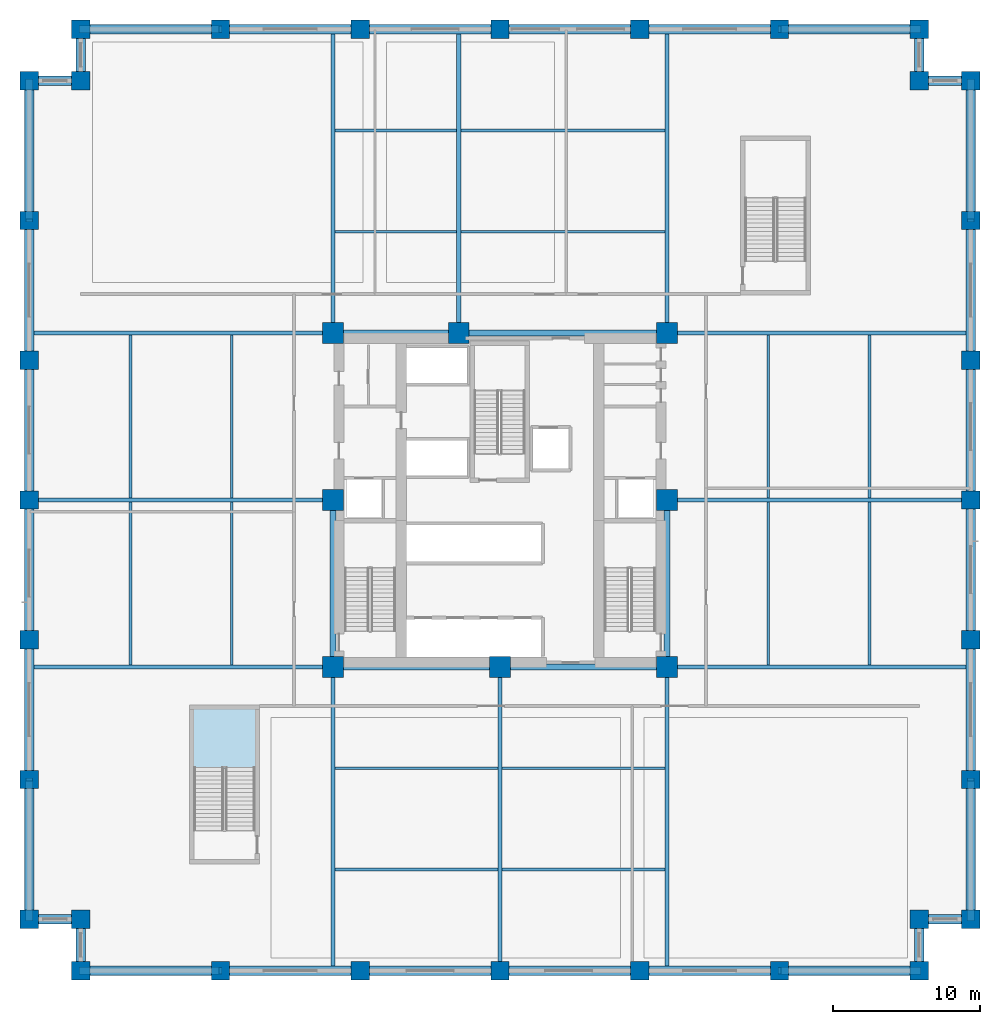
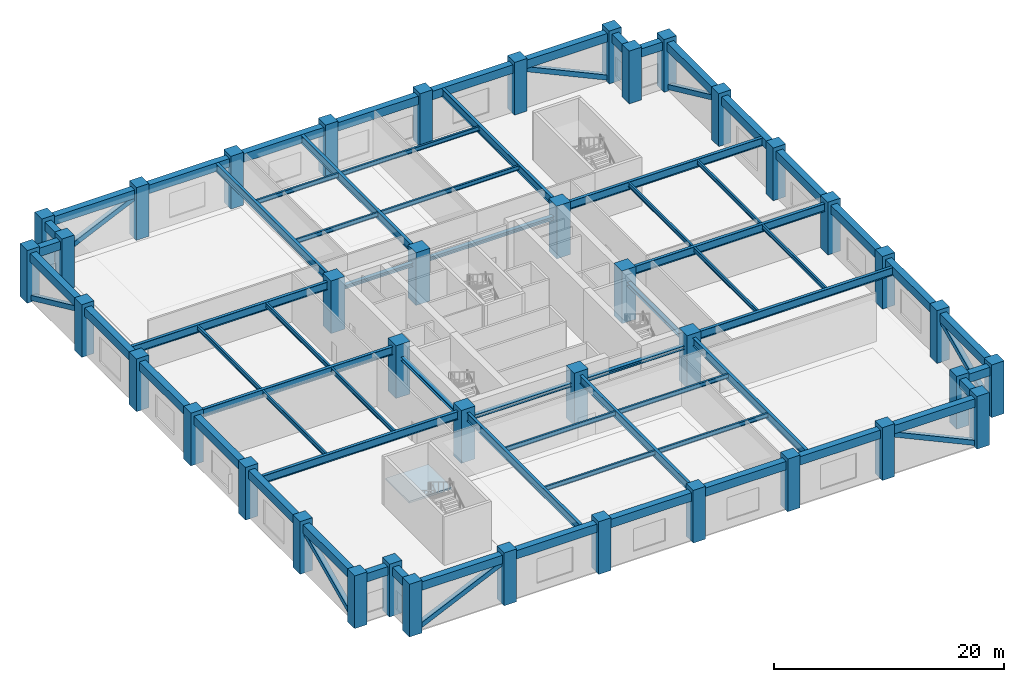
# One storey, part 1 of 14: 60 beams, 40 columns, 12 members, 1 slab, 1 element without a shape of its own.
"""IFC4 building model written with IfcOpenShell, lengths in metres."""

from ifc_helpers import new_model, si_unit, direction, frame, origin, origin_2d, place, context, subcontext, project, spatial, polyline, rectangle, hollow_rectangle, i_section, outline, extrude, material, layer, layer_set, material_profile, profile_set, type_object, element, aggregate, save


model = new_model("IFC4")

# Units and contexts
model_context = context("Model", 3, precision=1e-05, world=origin(), true_north=direction((0.0, 1.0)))
body_context = subcontext(model_context, "Body", "Model", "MODEL_VIEW")
ifc_project = project(units=[si_unit("LENGTHUNIT", "METRE"), si_unit("AREAUNIT", "SQUARE_METRE"), si_unit("VOLUMEUNIT", "CUBIC_METRE"), si_unit("PLANEANGLEUNIT", "RADIAN"), si_unit("MASSUNIT", "GRAM", prefix="KILO")], contexts=[model_context])

# Site, building, storey
site_placement = place(None, origin())
site = spatial("IfcSite", under=ifc_project, at=site_placement, CompositionType="ELEMENT")
building_placement = place(site_placement, origin())
building = spatial("IfcBuilding", under=site, at=building_placement, Name="Nhamokura Convention Tower", CompositionType="ELEMENT")
storey_placement = place(building_placement, frame((0.0, 0.0, 23.800048828125)))
storey = spatial("IfcBuildingStorey", under=building, at=storey_placement, Name="L04", CompositionType="ELEMENT", Elevation=23.800048828125)

# Columns
ifc_material_1 = material(Name="Concrete C70/85", Category="concrete")
ifc_material_profile_1 = material_profile(ifc_material_1, rectangle(XDim=1.39990234375, YDim=1.39990234375, at=origin_2d()))
ifc_profile_set_1 = profile_set([ifc_material_profile_1], Name="Concrete C70/85")
column_type_1 = type_object("IfcColumnType", Name="TubeColumn_B_1400", PredefinedType="COLUMN", material=ifc_profile_set_1)
for number, where, z_axis, x_axis, name in (
    (1, (20.64990234375, 20.64990234375, 0.0), (0.0, 0.0, 1.0), (1.0, 0.0, 0.0), "L04 Core Column CC-SW"),
    (2, (32.0, 20.64990234375, 0.0), (0.0, 0.0, 1.0), (1.0, 0.0, 0.0), "L04 Core Column CC-S"),
    (3, (43.35009765625, 20.64990234375, 0.0), (0.0, 0.0, 1.0), (1.0, 0.0, 0.0), "L04 Core Column CC-SE"),
    (4, (43.35009765625, 32.0, 0.0), (0.0, 0.0, 1.0), (1.0, 0.0, 0.0), "L04 Core Column CC-E"),
    (5, (43.35009765625, 43.35009765625, 0.0), (0.0, 0.0, 1.0), (1.0, 0.0, 0.0), "L04 Core Column CC-NE"),
    (6, (29.199951171875, 43.35009765625, 0.0), (0.0, 0.0, 1.0), (1.0, 0.0, 0.0), "L04 Core Column CC-N"),
    (7, (20.64990234375, 43.35009765625, 0.0), (0.0, 0.0, 1.0), (1.0, 0.0, 0.0), "L04 Core Column CC-NW"),
    (8, (20.64990234375, 32.0, 0.0), (0.0, 0.0, 1.0), (1.0, 0.0, 0.0), "L04 Core Column CC-W"),
):
    element("IfcColumn", number, at=place(storey_placement, frame(where, z_axis=z_axis, x_axis=x_axis)), inside=storey, type_object=column_type_1, Name=name, PredefinedType="COLUMN", context=body_context, shape_type="SweptSolid", body=[
        extrude(rectangle(XDim=1.39990234375, YDim=1.39990234375, at=origin_2d()), origin(), (0.0, 0.0, 1.0), 5.599853515625),
    ])
ifc_material_2 = material(Name="Concrete C70/85", Category="concrete")
ifc_material_profile_2 = material_profile(ifc_material_2, rectangle(XDim=1.25, YDim=1.25, at=origin_2d()))
ifc_profile_set_2 = profile_set([ifc_material_profile_2], Name="Concrete C70/85")
column_type_2 = type_object("IfcColumnType", Name="TubeColumn_P_1250", PredefinedType="COLUMN", material=ifc_profile_set_2)
for number, where, z_axis, x_axis, name in (
    (9, (3.5, 0.0, 0.0), (0.0, 0.0, 1.0), (1.0, 0.0, 0.0), "L04 Perimeter Tube Column SW1"),
    (10, (3.5, 3.5, 0.0), (0.0, 0.0, 1.0), (1.0, 0.0, 0.0), "L04 Perimeter Tube Column SW0"),
    (11, (0.0, 3.5, 0.0), (0.0, 0.0, 1.0), (1.0, 0.0, 0.0), "L04 Perimeter Tube Column SW2"),
    (12, (60.5, 0.0, 0.0), (0.0, 0.0, 1.0), (1.0, 0.0, 0.0), "L04 Perimeter Tube Column SE1"),
    (13, (60.5, 3.5, 0.0), (0.0, 0.0, 1.0), (1.0, 0.0, 0.0), "L04 Perimeter Tube Column SE0"),
    (14, (64.0, 3.5, 0.0), (0.0, 0.0, 1.0), (1.0, 0.0, 0.0), "L04 Perimeter Tube Column SE2"),
    (15, (64.0, 60.5, 0.0), (0.0, 0.0, 1.0), (1.0, 0.0, 0.0), "L04 Perimeter Tube Column NE1"),
    (16, (60.5, 60.5, 0.0), (0.0, 0.0, 1.0), (1.0, 0.0, 0.0), "L04 Perimeter Tube Column NE0"),
    (17, (60.5, 64.0, 0.0), (0.0, 0.0, 1.0), (1.0, 0.0, 0.0), "L04 Perimeter Tube Column NE2"),
    (18, (3.5, 64.0, 0.0), (0.0, 0.0, 1.0), (1.0, 0.0, 0.0), "L04 Perimeter Tube Column NW1"),
    (19, (3.5, 60.5, 0.0), (0.0, 0.0, 1.0), (1.0, 0.0, 0.0), "L04 Perimeter Tube Column NW0"),
    (20, (0.0, 60.5, 0.0), (0.0, 0.0, 1.0), (1.0, 0.0, 0.0), "L04 Perimeter Tube Column NW2"),
    (21, (13.0, 0.0, 0.0), (0.0, 0.0, 1.0), (1.0, 0.0, 0.0), "L04 Perimeter Tube Column S1"),
    (22, (13.0, 64.0, 0.0), (0.0, 0.0, 1.0), (1.0, 0.0, 0.0), "L04 Perimeter Tube Column N1"),
    (23, (0.0, 13.0, 0.0), (0.0, 0.0, 1.0), (1.0, 0.0, 0.0), "L04 Perimeter Tube Column W1"),
    (24, (64.0, 13.0, 0.0), (0.0, 0.0, 1.0), (1.0, 0.0, 0.0), "L04 Perimeter Tube Column E1"),
    (25, (22.5, 0.0, 0.0), (0.0, 0.0, 1.0), (1.0, 0.0, 0.0), "L04 Perimeter Tube Column S2"),
    (26, (22.5, 64.0, 0.0), (0.0, 0.0, 1.0), (1.0, 0.0, 0.0), "L04 Perimeter Tube Column N2"),
    (27, (0.0, 22.5, 0.0), (0.0, 0.0, 1.0), (1.0, 0.0, 0.0), "L04 Perimeter Tube Column W2"),
    (28, (64.0, 22.5, 0.0), (0.0, 0.0, 1.0), (1.0, 0.0, 0.0), "L04 Perimeter Tube Column E2"),
    (29, (32.0, 0.0, 0.0), (0.0, 0.0, 1.0), (1.0, 0.0, 0.0), "L04 Perimeter Tube Column S3"),
    (30, (32.0, 64.0, 0.0), (0.0, 0.0, 1.0), (1.0, 0.0, 0.0), "L04 Perimeter Tube Column N3"),
    (31, (0.0, 32.0, 0.0), (0.0, 0.0, 1.0), (1.0, 0.0, 0.0), "L04 Perimeter Tube Column W3"),
    (32, (64.0, 32.0, 0.0), (0.0, 0.0, 1.0), (1.0, 0.0, 0.0), "L04 Perimeter Tube Column E3"),
    (33, (41.5, 0.0, 0.0), (0.0, 0.0, 1.0), (1.0, 0.0, 0.0), "L04 Perimeter Tube Column S4"),
    (34, (41.5, 64.0, 0.0), (0.0, 0.0, 1.0), (1.0, 0.0, 0.0), "L04 Perimeter Tube Column N4"),
    (35, (0.0, 41.5, 0.0), (0.0, 0.0, 1.0), (1.0, 0.0, 0.0), "L04 Perimeter Tube Column W4"),
    (36, (64.0, 41.5, 0.0), (0.0, 0.0, 1.0), (1.0, 0.0, 0.0), "L04 Perimeter Tube Column E4"),
    (37, (51.0, 0.0, 0.0), (0.0, 0.0, 1.0), (1.0, 0.0, 0.0), "L04 Perimeter Tube Column S5"),
    (38, (51.0, 64.0, 0.0), (0.0, 0.0, 1.0), (1.0, 0.0, 0.0), "L04 Perimeter Tube Column N5"),
    (39, (0.0, 51.0, 0.0), (0.0, 0.0, 1.0), (1.0, 0.0, 0.0), "L04 Perimeter Tube Column W5"),
    (40, (64.0, 51.0, 0.0), (0.0, 0.0, 1.0), (1.0, 0.0, 0.0), "L04 Perimeter Tube Column E5"),
):
    element("IfcColumn", number, at=place(storey_placement, frame(where, z_axis=z_axis, x_axis=x_axis)), inside=storey, type_object=column_type_2, Name=name, PredefinedType="COLUMN", context=body_context, shape_type="SweptSolid", body=[
        extrude(rectangle(XDim=1.25, YDim=1.25, at=origin_2d()), origin(), (0.0, 0.0, 1.0), 5.599853515625),
    ])

# Beams
ifc_material_3 = material(Name="Steel ASTM A992 Gr 50", Category="steel")
ifc_material_profile_3 = material_profile(ifc_material_3, i_section(OverallWidth=0.19189453125, OverallDepth=0.462890625, WebThickness=0.010498046875, FlangeThickness=0.017578125, at=origin_2d()))
ifc_profile_set_3 = profile_set([ifc_material_profile_3], Name="Steel ASTM A992 Gr 50")
beam_type_1 = type_object("IfcBeamType", Name="FloorJoist_W460X89", PredefinedType="JOIST", material=ifc_profile_set_3)
for number, where, z_axis, x_axis, name in (
    (41, (20.794921875, 6.88330078125, 4.948486328125), (1.0, 0.0, 0.0), (0.0, 1.0, 0.0), "L04 Composite Floor Joist S1A"),
    (42, (32.14501953125, 6.88330078125, 4.948486328125), (1.0, 0.0, 0.0), (0.0, 1.0, 0.0), "L04 Composite Floor Joist S1B"),
    (43, (20.794921875, 13.7666015625, 4.948486328125), (1.0, 0.0, 0.0), (0.0, 1.0, 0.0), "L04 Composite Floor Joist S2A"),
    (44, (32.14501953125, 13.7666015625, 4.948486328125), (1.0, 0.0, 0.0), (0.0, 1.0, 0.0), "L04 Composite Floor Joist S2B"),
):
    element("IfcBeam", number, at=place(storey_placement, frame(where, z_axis=z_axis, x_axis=x_axis)), inside=storey, type_object=beam_type_1, Name=name, PredefinedType="JOIST", context=body_context, shape_type="SweptSolid", body=[
        extrude(i_section(OverallWidth=0.19189453125, OverallDepth=0.462890625, WebThickness=0.010498046875, FlangeThickness=0.017578125, at=origin_2d()), origin(), (0.0, 0.0, 1.0), 11.06005859375),
    ])
beam_1_placement = place(storey_placement, frame((20.794921875, 50.2333984375, 4.948486328125), z_axis=(1.0, 0.0, 0.0), x_axis=(0.0, 1.0, 0.0)))
element("IfcBeam", 45, at=beam_1_placement, inside=storey, type_object=beam_type_1, Name="L04 Composite Floor Joist N1A", PredefinedType="JOIST", context=body_context, shape_type="SweptSolid", body=[
    extrude(i_section(OverallWidth=0.19189453125, OverallDepth=0.462890625, WebThickness=0.010498046875, FlangeThickness=0.017578125, at=origin_2d()), origin(), (0.0, 0.0, 1.0), 8.260009765625),
])
beam_2_placement = place(storey_placement, frame((29.344970703125, 50.2333984375, 4.948486328125), z_axis=(1.0, 0.0, 0.0), x_axis=(0.0, 1.0, 0.0)))
element("IfcBeam", 46, at=beam_2_placement, inside=storey, type_object=beam_type_1, Name="L04 Composite Floor Joist N1B", PredefinedType="JOIST", context=body_context, shape_type="SweptSolid", body=[
    extrude(i_section(OverallWidth=0.19189453125, OverallDepth=0.462890625, WebThickness=0.010498046875, FlangeThickness=0.017578125, at=origin_2d()), origin(), (0.0, 0.0, 1.0), 13.860107421875),
])
beam_3_placement = place(storey_placement, frame((20.794921875, 57.11669921875, 4.948486328125), z_axis=(1.0, 0.0, 0.0), x_axis=(0.0, 1.0, 0.0)))
element("IfcBeam", 47, at=beam_3_placement, inside=storey, type_object=beam_type_1, Name="L04 Composite Floor Joist N2A", PredefinedType="JOIST", context=body_context, shape_type="SweptSolid", body=[
    extrude(i_section(OverallWidth=0.19189453125, OverallDepth=0.462890625, WebThickness=0.010498046875, FlangeThickness=0.017578125, at=origin_2d()), origin(), (0.0, 0.0, 1.0), 8.260009765625),
])
beam_4_placement = place(storey_placement, frame((29.344970703125, 57.11669921875, 4.948486328125), z_axis=(1.0, 0.0, 0.0), x_axis=(0.0, 1.0, 0.0)))
element("IfcBeam", 48, at=beam_4_placement, inside=storey, type_object=beam_type_1, Name="L04 Composite Floor Joist N2B", PredefinedType="JOIST", context=body_context, shape_type="SweptSolid", body=[
    extrude(i_section(OverallWidth=0.19189453125, OverallDepth=0.462890625, WebThickness=0.010498046875, FlangeThickness=0.017578125, at=origin_2d()), origin(), (0.0, 0.0, 1.0), 13.860107421875),
])
for number, where, z_axis, x_axis, name in (
    (49, (6.88330078125, 20.794921875, 4.948486328125), (0.0, 1.0, 0.0), (-1.0, 0.0, 0.0), "L04 Composite Floor Joist W1A"),
    (50, (6.88330078125, 32.14501953125, 4.948486328125), (0.0, 1.0, 0.0), (-1.0, 0.0, 0.0), "L04 Composite Floor Joist W1B"),
    (51, (13.7666015625, 20.794921875, 4.948486328125), (0.0, 1.0, 0.0), (-1.0, 0.0, 0.0), "L04 Composite Floor Joist W2A"),
    (52, (13.7666015625, 32.14501953125, 4.948486328125), (0.0, 1.0, 0.0), (-1.0, 0.0, 0.0), "L04 Composite Floor Joist W2B"),
    (53, (50.2333984375, 20.794921875, 4.948486328125), (0.0, 1.0, 0.0), (-1.0, 0.0, 0.0), "L04 Composite Floor Joist E1A"),
    (54, (50.2333984375, 32.14501953125, 4.948486328125), (0.0, 1.0, 0.0), (-1.0, 0.0, 0.0), "L04 Composite Floor Joist E1B"),
    (55, (57.11669921875, 20.794921875, 4.948486328125), (0.0, 1.0, 0.0), (-1.0, 0.0, 0.0), "L04 Composite Floor Joist E2A"),
    (56, (57.11669921875, 32.14501953125, 4.948486328125), (0.0, 1.0, 0.0), (-1.0, 0.0, 0.0), "L04 Composite Floor Joist E2B"),
):
    element("IfcBeam", number, at=place(storey_placement, frame(where, z_axis=z_axis, x_axis=x_axis)), inside=storey, type_object=beam_type_1, Name=name, PredefinedType="JOIST", context=body_context, shape_type="SweptSolid", body=[
        extrude(i_section(OverallWidth=0.19189453125, OverallDepth=0.462890625, WebThickness=0.010498046875, FlangeThickness=0.017578125, at=origin_2d()), origin(), (0.0, 0.0, 1.0), 11.06005859375),
    ])
ifc_material_4 = material(Name="Steel ASTM A992 Gr 50", Category="steel")
ifc_material_profile_4 = material_profile(ifc_material_4, i_section(OverallWidth=0.2939453125, OverallDepth=0.85107421875, WebThickness=0.01611328125, FlangeThickness=0.02685546875, at=origin_2d()))
ifc_profile_set_4 = profile_set([ifc_material_profile_4], Name="Steel ASTM A992 Gr 50")
beam_type_2 = type_object("IfcBeamType", Name="HallGirder_W840X226", PredefinedType="BEAM", material=ifc_profile_set_4)
for number, where, z_axis, x_axis, name in (
    (57, (20.64990234375, 0.0, 4.75439453125), (0.0, 1.0, 0.0), (-1.0, 0.0, 0.0), "L04 Primary Floor Girder PG-S1"),
    (58, (32.0, 0.0, 4.75439453125), (0.0, 1.0, 0.0), (-1.0, 0.0, 0.0), "L04 Primary Floor Girder PG-S2"),
    (59, (43.35009765625, 0.0, 4.75439453125), (0.0, 1.0, 0.0), (-1.0, 0.0, 0.0), "L04 Primary Floor Girder PG-S3"),
    (60, (20.64990234375, 43.35009765625, 4.75439453125), (0.0, 1.0, 0.0), (-1.0, 0.0, 0.0), "L04 Primary Floor Girder PG-N1"),
    (61, (29.199951171875, 43.35009765625, 4.75439453125), (0.0, 1.0, 0.0), (-1.0, 0.0, 0.0), "L04 Primary Floor Girder PG-N2"),
    (62, (43.35009765625, 43.35009765625, 4.75439453125), (0.0, 1.0, 0.0), (-1.0, 0.0, 0.0), "L04 Primary Floor Girder PG-N3"),
    (63, (0.0, 20.64990234375, 4.75439453125), (1.0, 0.0, 0.0), (0.0, 1.0, 0.0), "L04 Primary Floor Girder PG-W1"),
    (64, (0.0, 32.0, 4.75439453125), (1.0, 0.0, 0.0), (0.0, 1.0, 0.0), "L04 Primary Floor Girder PG-W2"),
    (65, (0.0, 43.35009765625, 4.75439453125), (1.0, 0.0, 0.0), (0.0, 1.0, 0.0), "L04 Primary Floor Girder PG-W3"),
    (66, (43.35009765625, 20.64990234375, 4.75439453125), (1.0, 0.0, 0.0), (0.0, 1.0, 0.0), "L04 Primary Floor Girder PG-E1"),
    (67, (43.35009765625, 32.0, 4.75439453125), (1.0, 0.0, 0.0), (0.0, 1.0, 0.0), "L04 Primary Floor Girder PG-E2"),
    (68, (43.35009765625, 43.35009765625, 4.75439453125), (1.0, 0.0, 0.0), (0.0, 1.0, 0.0), "L04 Primary Floor Girder PG-E3"),
):
    element("IfcBeam", number, at=place(storey_placement, frame(where, z_axis=z_axis, x_axis=x_axis)), inside=storey, type_object=beam_type_2, Name=name, PredefinedType="BEAM", context=body_context, shape_type="SweptSolid", body=[
        extrude(i_section(OverallWidth=0.2939453125, OverallDepth=0.85107421875, WebThickness=0.01611328125, FlangeThickness=0.02685546875, at=origin_2d()), origin(), (0.0, 0.0, 1.0), 20.64990234375),
    ])

# Members
ifc_material_5 = material(Name="Steel ASTM A572 Gr 50", Category="steel")
ifc_material_profile_5 = material_profile(ifc_material_5, i_section(OverallWidth=0.39794921875, OverallDepth=0.386962890625, WebThickness=0.02099609375, FlangeThickness=0.033203125, at=origin_2d()))
ifc_profile_set_5 = profile_set([ifc_material_profile_5], Name="Steel ASTM A572 Gr 50")
member_type_1 = type_object("IfcMemberType", Name="HallTrussChord_W360X262", PredefinedType="CHORD", material=ifc_profile_set_5)
for number, where, z_axis, x_axis, name in (
    (69, (20.64990234375, 20.64990234375, 4.030029296875), (1.0, 0.0, 0.0), (0.0, 1.0, 0.0), "L04 Convention Hall Truss Chord HTC-S"),
    (70, (20.64990234375, 43.35009765625, 4.030029296875), (1.0, 0.0, 0.0), (0.0, 1.0, 0.0), "L04 Convention Hall Truss Chord HTC-N"),
):
    element("IfcMember", number, at=place(storey_placement, frame(where, z_axis=z_axis, x_axis=x_axis)), inside=storey, type_object=member_type_1, Name=name, PredefinedType="CHORD", context=body_context, shape_type="SweptSolid", body=[
        extrude(i_section(OverallWidth=0.39794921875, OverallDepth=0.386962890625, WebThickness=0.02099609375, FlangeThickness=0.033203125, at=origin_2d()), origin(), (0.0, 0.0, 1.0), 22.7001953125),
    ])
for number, where, z_axis, x_axis, name in (
    (71, (20.64990234375, 20.64990234375, 4.030029296875), (0.0, 1.0, 0.0), (-1.0, 0.0, 0.0), "L04 Convention Hall Truss Chord HTC-W"),
    (72, (43.35009765625, 20.64990234375, 4.030029296875), (0.0, 1.0, 0.0), (-1.0, 0.0, 0.0), "L04 Convention Hall Truss Chord HTC-E"),
):
    element("IfcMember", number, at=place(storey_placement, frame(where, z_axis=z_axis, x_axis=x_axis)), inside=storey, type_object=member_type_1, Name=name, PredefinedType="CHORD", context=body_context, shape_type="SweptSolid", body=[
        extrude(i_section(OverallWidth=0.39794921875, OverallDepth=0.386962890625, WebThickness=0.02099609375, FlangeThickness=0.033203125, at=origin_2d()), origin(), (0.0, 0.0, 1.0), 11.35009765625),
    ])
ifc_material_6 = material(Name="Steel ASTM A572 Gr 50", Category="steel")
ifc_material_profile_6 = material_profile(ifc_material_6, hollow_rectangle(XDim=0.5, YDim=0.5, WallThickness=0.02490234375, at=origin_2d()))
ifc_profile_set_6 = profile_set([ifc_material_profile_6], Name="Steel ASTM A572 Gr 50")
member_type_2 = type_object("IfcMemberType", Name="TubeBrace_HSS500", PredefinedType="BRACE", material=ifc_profile_set_6)
for number, where, z_axis, x_axis, name in (
    (73, (3.5, 0.0, 0.14990234375), (0.908122566737, 0.0, 0.418704434874), (0.0, 1.0, 0.0), "L04 Perimeter Tube Brace SOUTH Bay 0"),
    (74, (60.5, 0.0, 0.14990234375), (-0.908122566737, 0.0, 0.418704434874), (0.0, -1.0, 0.0), "L04 Perimeter Tube Brace SOUTH Bay 5"),
    (75, (3.5, 64.0, 0.14990234375), (0.908122566737, 0.0, 0.418704434874), (0.0, 1.0, 0.0), "L04 Perimeter Tube Brace NORTH Bay 0"),
    (76, (60.5, 64.0, 0.14990234375), (-0.908122566737, 0.0, 0.418704434874), (0.0, -1.0, 0.0), "L04 Perimeter Tube Brace NORTH Bay 5"),
    (77, (0.0, 3.5, 0.14990234375), (0.0, 0.908122566737, 0.418704434874), (-1.0, 0.0, 0.0), "L04 Perimeter Tube Brace WEST Bay 0"),
    (78, (0.0, 60.5, 0.14990234375), (0.0, -0.908122566737, 0.418704434874), (1.0, 0.0, 0.0), "L04 Perimeter Tube Brace WEST Bay 5"),
    (79, (64.0, 3.5, 0.14990234375), (0.0, 0.908122566737, 0.418704434874), (-1.0, 0.0, 0.0), "L04 Perimeter Tube Brace EAST Bay 0"),
    (80, (64.0, 60.5, 0.14990234375), (0.0, -0.908122566737, 0.418704434874), (1.0, 0.0, 0.0), "L04 Perimeter Tube Brace EAST Bay 5"),
):
    element("IfcMember", number, at=place(storey_placement, frame(where, z_axis=z_axis, x_axis=x_axis)), inside=storey, type_object=member_type_2, Name=name, PredefinedType="BRACE", context=body_context, shape_type="SweptSolid", body=[
        extrude(hollow_rectangle(XDim=0.5, YDim=0.5, WallThickness=0.02490234375, at=origin_2d()), origin(), (0.0, 0.0, 1.0), 10.461181640625),
    ])

# Beams
ifc_material_7 = material(Name="Concrete C60/75", Category="concrete")
ifc_material_profile_7 = material_profile(ifc_material_7, rectangle(XDim=0.64990234375, YDim=0.89990234375, at=origin_2d()))
ifc_profile_set_7 = profile_set([ifc_material_profile_7], Name="Concrete C60/75")
beam_type_3 = type_object("IfcBeamType", Name="TubeSpandrel_900", PredefinedType="SPANDREL", material=ifc_profile_set_7)
for number, where, z_axis, x_axis, name in (
    (81, (3.5, 0.0, 4.72998046875), (1.0, 0.0, 0.0), (0.0, 1.0, 0.0), "L04 Perimeter Spandrel SOUTH 1"),
    (82, (13.0, 0.0, 4.72998046875), (1.0, 0.0, 0.0), (0.0, 1.0, 0.0), "L04 Perimeter Spandrel SOUTH 2"),
    (83, (22.5, 0.0, 4.72998046875), (1.0, 0.0, 0.0), (0.0, 1.0, 0.0), "L04 Perimeter Spandrel SOUTH 3"),
    (84, (32.0, 0.0, 4.72998046875), (1.0, 0.0, 0.0), (0.0, 1.0, 0.0), "L04 Perimeter Spandrel SOUTH 4"),
    (85, (41.5, 0.0, 4.72998046875), (1.0, 0.0, 0.0), (0.0, 1.0, 0.0), "L04 Perimeter Spandrel SOUTH 5"),
    (86, (51.0, 0.0, 4.72998046875), (1.0, 0.0, 0.0), (0.0, 1.0, 0.0), "L04 Perimeter Spandrel SOUTH 6"),
    (87, (3.5, 64.0, 4.72998046875), (1.0, 0.0, 0.0), (0.0, 1.0, 0.0), "L04 Perimeter Spandrel NORTH 1"),
    (88, (13.0, 64.0, 4.72998046875), (1.0, 0.0, 0.0), (0.0, 1.0, 0.0), "L04 Perimeter Spandrel NORTH 2"),
    (89, (22.5, 64.0, 4.72998046875), (1.0, 0.0, 0.0), (0.0, 1.0, 0.0), "L04 Perimeter Spandrel NORTH 3"),
    (90, (32.0, 64.0, 4.72998046875), (1.0, 0.0, 0.0), (0.0, 1.0, 0.0), "L04 Perimeter Spandrel NORTH 4"),
    (91, (41.5, 64.0, 4.72998046875), (1.0, 0.0, 0.0), (0.0, 1.0, 0.0), "L04 Perimeter Spandrel NORTH 5"),
    (92, (51.0, 64.0, 4.72998046875), (1.0, 0.0, 0.0), (0.0, 1.0, 0.0), "L04 Perimeter Spandrel NORTH 6"),
    (93, (0.0, 3.5, 4.72998046875), (0.0, 1.0, 0.0), (-1.0, 0.0, 0.0), "L04 Perimeter Spandrel WEST 1"),
    (94, (0.0, 13.0, 4.72998046875), (0.0, 1.0, 0.0), (-1.0, 0.0, 0.0), "L04 Perimeter Spandrel WEST 2"),
    (95, (0.0, 22.5, 4.72998046875), (0.0, 1.0, 0.0), (-1.0, 0.0, 0.0), "L04 Perimeter Spandrel WEST 3"),
    (96, (0.0, 32.0, 4.72998046875), (0.0, 1.0, 0.0), (-1.0, 0.0, 0.0), "L04 Perimeter Spandrel WEST 4"),
    (97, (0.0, 41.5, 4.72998046875), (0.0, 1.0, 0.0), (-1.0, 0.0, 0.0), "L04 Perimeter Spandrel WEST 5"),
    (98, (0.0, 51.0, 4.72998046875), (0.0, 1.0, 0.0), (-1.0, 0.0, 0.0), "L04 Perimeter Spandrel WEST 6"),
    (99, (64.0, 3.5, 4.72998046875), (0.0, 1.0, 0.0), (-1.0, 0.0, 0.0), "L04 Perimeter Spandrel EAST 1"),
    (100, (64.0, 13.0, 4.72998046875), (0.0, 1.0, 0.0), (-1.0, 0.0, 0.0), "L04 Perimeter Spandrel EAST 2"),
    (101, (64.0, 22.5, 4.72998046875), (0.0, 1.0, 0.0), (-1.0, 0.0, 0.0), "L04 Perimeter Spandrel EAST 3"),
    (102, (64.0, 32.0, 4.72998046875), (0.0, 1.0, 0.0), (-1.0, 0.0, 0.0), "L04 Perimeter Spandrel EAST 4"),
    (103, (64.0, 41.5, 4.72998046875), (0.0, 1.0, 0.0), (-1.0, 0.0, 0.0), "L04 Perimeter Spandrel EAST 5"),
    (104, (64.0, 51.0, 4.72998046875), (0.0, 1.0, 0.0), (-1.0, 0.0, 0.0), "L04 Perimeter Spandrel EAST 6"),
):
    element("IfcBeam", number, at=place(storey_placement, frame(where, z_axis=z_axis, x_axis=x_axis)), inside=storey, type_object=beam_type_3, Name=name, PredefinedType="SPANDREL", context=body_context, shape_type="SweptSolid", body=[
        extrude(rectangle(XDim=0.64990234375, YDim=0.89990234375, at=origin_2d()), origin(), (0.0, 0.0, 1.0), 9.5),
    ])
for number, where, z_axis, x_axis, name in (
    (105, (3.5, 0.0, 4.72998046875), (0.0, 1.0, 0.0), (-1.0, 0.0, 0.0), "L04 Notch Spandrel SW1"),
    (106, (3.5, 3.5, 4.72998046875), (-1.0, 0.0, 0.0), (0.0, -1.0, 0.0), "L04 Notch Spandrel SW2"),
    (107, (60.5, 0.0, 4.72998046875), (0.0, 1.0, 0.0), (-1.0, 0.0, 0.0), "L04 Notch Spandrel SE1"),
    (108, (60.5, 3.5, 4.72998046875), (1.0, 0.0, 0.0), (0.0, 1.0, 0.0), "L04 Notch Spandrel SE2"),
    (109, (64.0, 60.5, 4.72998046875), (-1.0, 0.0, 0.0), (0.0, -1.0, 0.0), "L04 Notch Spandrel NE1"),
    (110, (60.5, 60.5, 4.72998046875), (0.0, 1.0, 0.0), (-1.0, 0.0, 0.0), "L04 Notch Spandrel NE2"),
    (111, (3.5, 64.0, 4.72998046875), (0.0, -1.0, 0.0), (1.0, 0.0, 0.0), "L04 Notch Spandrel NW1"),
    (112, (3.5, 60.5, 4.72998046875), (-1.0, 0.0, 0.0), (0.0, -1.0, 0.0), "L04 Notch Spandrel NW2"),
):
    element("IfcBeam", number, at=place(storey_placement, frame(where, z_axis=z_axis, x_axis=x_axis)), inside=storey, type_object=beam_type_3, Name=name, PredefinedType="SPANDREL", context=body_context, shape_type="SweptSolid", body=[
        extrude(rectangle(XDim=0.64990234375, YDim=0.89990234375, at=origin_2d()), origin(), (0.0, 0.0, 1.0), 3.5),
    ])

# Stair, slab
ifc_material_8 = material(Name="Concrete C40/50", Category="concrete")
stair_type = type_object("IfcStairType", Name="PodiumExitStair_2000", PredefinedType="HALF_TURN_STAIR", material=ifc_material_8)
stair_placement = place(storey_placement, origin())
stair = element("IfcStair", 113, at=stair_placement, inside=storey, type_object=stair_type, Name="L04 South-West Podium Smokeproof Stair ST-04", PredefinedType="HALF_TURN_STAIR")
ifc_material_9 = material(Name="Concrete C40/50", Category="concrete")
ifc_layer = layer(ifc_material_9, 0.199951171875)
ifc_layer_set = layer_set([ifc_layer], Name="StairLandingSlab_200")
slab_type = type_object("IfcSlabType", Name="StairLandingSlab_200", PredefinedType="LANDING", material=ifc_layer_set)
slab_placement = place(storey_placement, frame((0.0, 0.0, 2.599853515625)))
slab = element("IfcSlab", 114, at=slab_placement, type_object=slab_type, Name="ST-04 landing 1", PredefinedType="LANDING", context=body_context, shape_type="SweptSolid", body=[
    extrude(outline(polyline([(15.429931640625, 13.7451171875), (15.429931640625, 17.830078125), (11.1201171875, 17.830078125), (11.1201171875, 13.7451171875), (15.429931640625, 13.7451171875)])), origin(), (0.0, 0.0, 1.0), 0.2001953125),
])
aggregate(stair, [slab])

save(model, "model.ifc")
